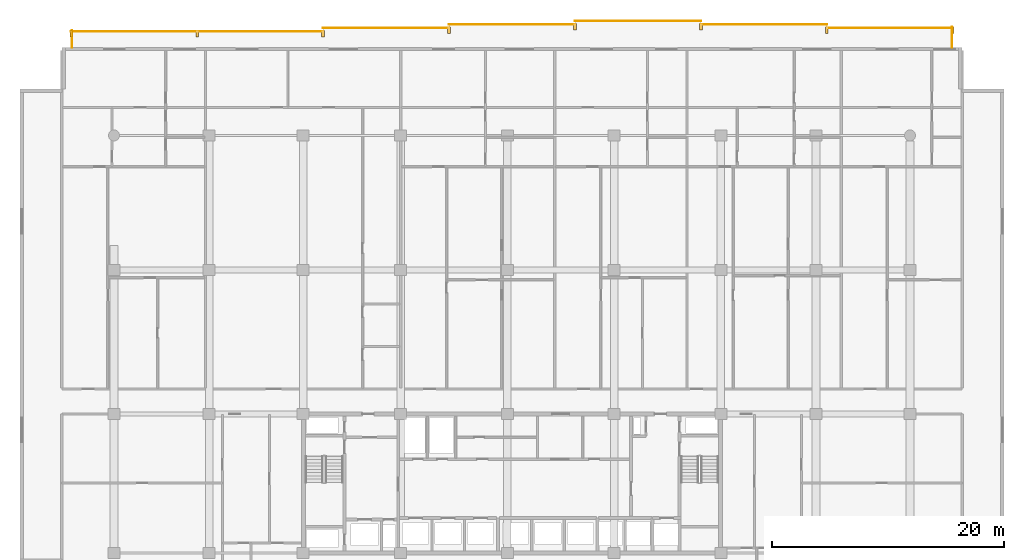
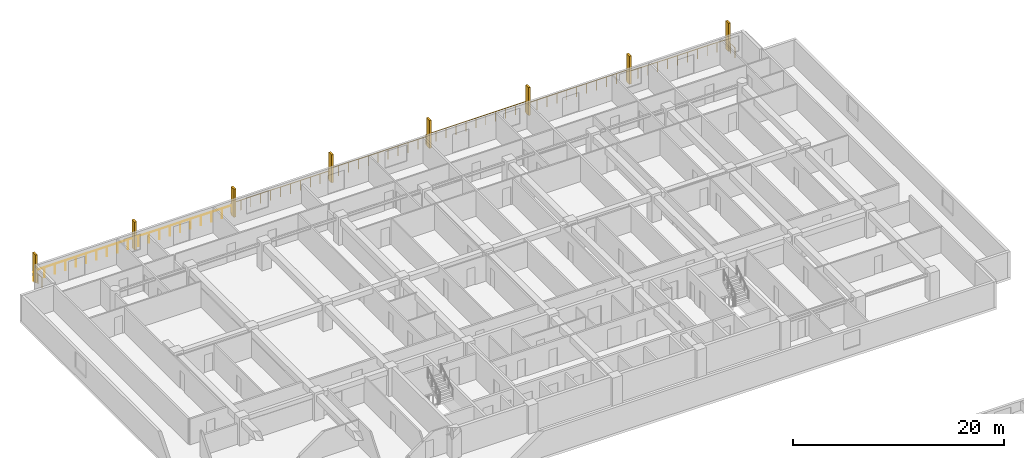
# One storey, part 23 of 23: 8 railings, 8 shading devices.
"""IFC4 building model written with IfcOpenShell, lengths in metres."""

from ifc_helpers import new_model, si_unit, direction, frame, origin, origin_2d, place, context, subcontext, project, spatial, rectangle, circle, extrude, material, type_object, element, save


model = new_model("IFC4")

# Units and contexts
model_context = context("Model", 3, precision=1e-05, world=origin(), true_north=direction((0.0, 1.0)))
body_context = subcontext(model_context, "Body", "Model", "MODEL_VIEW")
ifc_project = project(units=[si_unit("LENGTHUNIT", "METRE"), si_unit("AREAUNIT", "SQUARE_METRE"), si_unit("VOLUMEUNIT", "CUBIC_METRE"), si_unit("PLANEANGLEUNIT", "RADIAN"), si_unit("MASSUNIT", "GRAM", prefix="KILO")], contexts=[model_context])

# Site, building, storey
site_placement = place(None, origin())
site = spatial("IfcSite", under=ifc_project, at=site_placement, CompositionType="ELEMENT")
building_placement = place(site_placement, origin())
building = spatial("IfcBuilding", under=site, at=building_placement, Name="Korimba Cascade Residences", CompositionType="ELEMENT")
storey_placement = place(building_placement, frame((0.0, 0.0, 33.75)))
storey = spatial("IfcBuildingStorey", under=building, at=storey_placement, Name="L08", CompositionType="ELEMENT", Elevation=33.75)

# Railings
ifc_material_1 = material(Name="Laminated Glass and Bronze Balustrade", Category="glass")
railing_type = type_object("IfcRailingType", Name="RLG-LOG-1150", PredefinedType="BALUSTRADE", material=ifc_material_1)
railing_1_placement = place(storey_placement, frame((132.02001953125, 98.800048828125, 0.0)))
element("IfcRailing", 1, at=railing_1_placement, inside=storey, type_object=railing_type, Name="L08 Perimeter Guardrail RLG-L08-T1-LOG-01", PredefinedType="BALUSTRADE", context=body_context, shape_type="SweptSolid", body=[
    extrude(circle(Radius=0.02392578125, at=origin_2d()), frame((0.0, 0.0, 1.1259765625), z_axis=(0.0, 1.0, 0.0), x_axis=(-1.0, 0.0, 0.0)), (0.0, 0.0, 1.0), 1.75),
    extrude(circle(Radius=0.02099609375, at=origin_2d()), origin(), (0.0, 0.0, 1.0), 1.101806640625),
    extrude(circle(Radius=0.02099609375, at=origin_2d()), frame((0.0, 0.875, 0.0)), (0.0, 0.0, 1.0), 1.101806640625),
    extrude(circle(Radius=0.02099609375, at=origin_2d()), frame((0.0, 1.75, 0.0)), (0.0, 0.0, 1.0), 1.101806640625),
])
for number, where, name in (
    (2, (132.10009765625, 100.469970703125, 0.0), "L08 Perimeter Guardrail RLG-L08-T1-LOG-02"),
    (3, (121.242919921875, 100.77001953125, 0.0), "L08 Perimeter Guardrail RLG-L08-T1-LOG-03"),
    (4, (110.3857421875, 101.070068359375, 0.0), "L08 Perimeter Guardrail RLG-L08-T1-LOG-04"),
    (5, (99.528564453125, 100.77001953125, 0.0), "L08 Perimeter Guardrail RLG-L08-T1-LOG-05"),
    (6, (88.67138671875, 100.469970703125, 0.0), "L08 Perimeter Guardrail RLG-L08-T1-LOG-06"),
):
    element("IfcRailing", number, at=place(storey_placement, frame(where)), inside=storey, type_object=railing_type, Name=name, PredefinedType="BALUSTRADE", context=body_context, shape_type="SweptSolid", body=[
        extrude(circle(Radius=0.02392578125, at=origin_2d()), frame((0.0, 0.0, 1.1259765625), z_axis=(-1.0, 0.0, 0.0), x_axis=(0.0, -1.0, 0.0)), (0.0, 0.0, 1.0), 10.857177734375),
        extrude(circle(Radius=0.02099609375, at=origin_2d()), origin(), (0.0, 0.0, 1.0), 1.101806640625),
        extrude(circle(Radius=0.02099609375, at=origin_2d()), frame((-1.085693359375, 0.0, 0.0)), (0.0, 0.0, 1.0), 1.101806640625),
        extrude(circle(Radius=0.02099609375, at=origin_2d()), frame((-2.17138671875, 0.0, 0.0)), (0.0, 0.0, 1.0), 1.101806640625),
        extrude(circle(Radius=0.02099609375, at=origin_2d()), frame((-3.257080078125, 0.0, 0.0)), (0.0, 0.0, 1.0), 1.101806640625),
        extrude(circle(Radius=0.02099609375, at=origin_2d()), frame((-4.3427734375, 0.0, 0.0)), (0.0, 0.0, 1.0), 1.101806640625),
        extrude(circle(Radius=0.02099609375, at=origin_2d()), frame((-5.4287109375, 0.0, 0.0)), (0.0, 0.0, 1.0), 1.101806640625),
        extrude(circle(Radius=0.02099609375, at=origin_2d()), frame((-6.514404296875, 0.0, 0.0)), (0.0, 0.0, 1.0), 1.101806640625),
        extrude(circle(Radius=0.02099609375, at=origin_2d()), frame((-7.60009765625, 0.0, 0.0)), (0.0, 0.0, 1.0), 1.101806640625),
        extrude(circle(Radius=0.02099609375, at=origin_2d()), frame((-8.685791015625, 0.0, 0.0)), (0.0, 0.0, 1.0), 1.101806640625),
        extrude(circle(Radius=0.02099609375, at=origin_2d()), frame((-9.771484375, 0.0, 0.0)), (0.0, 0.0, 1.0), 1.101806640625),
        extrude(circle(Radius=0.02099609375, at=origin_2d()), frame((-10.857177734375, 0.0, 0.0)), (0.0, 0.0, 1.0), 1.101806640625),
    ])
railing_2_placement = place(storey_placement, frame((77.814208984375, 100.169921875, 0.0)))
element("IfcRailing", 7, at=railing_2_placement, inside=storey, type_object=railing_type, Name="L08 Perimeter Guardrail RLG-L08-T1-LOG-07", PredefinedType="BALUSTRADE", context=body_context, shape_type="SweptSolid", body=[
    extrude(circle(Radius=0.02392578125, at=origin_2d()), frame((0.0, 0.0, 1.1259765625), z_axis=(-1.0, 0.0, 0.0), x_axis=(0.0, -1.0, 0.0)), (0.0, 0.0, 1.0), 21.714111328125),
    extrude(circle(Radius=0.02099609375, at=origin_2d()), origin(), (0.0, 0.0, 1.0), 1.101806640625),
    extrude(circle(Radius=0.02099609375, at=origin_2d()), frame((-1.142822265625, 0.0, 0.0)), (0.0, 0.0, 1.0), 1.101806640625),
    extrude(circle(Radius=0.02099609375, at=origin_2d()), frame((-2.28564453125, 0.0, 0.0)), (0.0, 0.0, 1.0), 1.101806640625),
    extrude(circle(Radius=0.02099609375, at=origin_2d()), frame((-3.428466796875, 0.0, 0.0)), (0.0, 0.0, 1.0), 1.101806640625),
    extrude(circle(Radius=0.02099609375, at=origin_2d()), frame((-4.5712890625, 0.0, 0.0)), (0.0, 0.0, 1.0), 1.101806640625),
    extrude(circle(Radius=0.02099609375, at=origin_2d()), frame((-5.71435546875, 0.0, 0.0)), (0.0, 0.0, 1.0), 1.101806640625),
    extrude(circle(Radius=0.02099609375, at=origin_2d()), frame((-6.857177734375, 0.0, 0.0)), (0.0, 0.0, 1.0), 1.101806640625),
    extrude(circle(Radius=0.02099609375, at=origin_2d()), frame((-8.0, 0.0, 0.0)), (0.0, 0.0, 1.0), 1.101806640625),
    extrude(circle(Radius=0.02099609375, at=origin_2d()), frame((-9.142822265625, 0.0, 0.0)), (0.0, 0.0, 1.0), 1.101806640625),
    extrude(circle(Radius=0.02099609375, at=origin_2d()), frame((-10.28564453125, 0.0, 0.0)), (0.0, 0.0, 1.0), 1.101806640625),
    extrude(circle(Radius=0.02099609375, at=origin_2d()), frame((-11.428466796875, 0.0, 0.0)), (0.0, 0.0, 1.0), 1.101806640625),
    extrude(circle(Radius=0.02099609375, at=origin_2d()), frame((-12.5712890625, 0.0, 0.0)), (0.0, 0.0, 1.0), 1.101806640625),
    extrude(circle(Radius=0.02099609375, at=origin_2d()), frame((-13.714111328125, 0.0, 0.0)), (0.0, 0.0, 1.0), 1.101806640625),
    extrude(circle(Radius=0.02099609375, at=origin_2d()), frame((-14.85693359375, 0.0, 0.0)), (0.0, 0.0, 1.0), 1.101806640625),
    extrude(circle(Radius=0.02099609375, at=origin_2d()), frame((-15.999755859375, 0.0, 0.0)), (0.0, 0.0, 1.0), 1.101806640625),
    extrude(circle(Radius=0.02099609375, at=origin_2d()), frame((-17.142822265625, 0.0, 0.0)), (0.0, 0.0, 1.0), 1.101806640625),
    extrude(circle(Radius=0.02099609375, at=origin_2d()), frame((-18.28564453125, 0.0, 0.0)), (0.0, 0.0, 1.0), 1.101806640625),
    extrude(circle(Radius=0.02099609375, at=origin_2d()), frame((-19.428466796875, 0.0, 0.0)), (0.0, 0.0, 1.0), 1.101806640625),
    extrude(circle(Radius=0.02099609375, at=origin_2d()), frame((-20.5712890625, 0.0, 0.0)), (0.0, 0.0, 1.0), 1.101806640625),
    extrude(circle(Radius=0.02099609375, at=origin_2d()), frame((-21.714111328125, 0.0, 0.0)), (0.0, 0.0, 1.0), 1.101806640625),
])
railing_3_placement = place(storey_placement, frame((56.179931640625, 100.25, 0.0)))
element("IfcRailing", 8, at=railing_3_placement, inside=storey, type_object=railing_type, Name="L08 Perimeter Guardrail RLG-L08-T1-LOG-08", PredefinedType="BALUSTRADE", context=body_context, shape_type="SweptSolid", body=[
    extrude(circle(Radius=0.02392578125, at=origin_2d()), frame((0.0, 0.0, 1.1259765625), z_axis=(0.0, -1.0, 0.0), x_axis=(1.0, 0.0, 0.0)), (0.0, 0.0, 1.0), 1.449951171875),
    extrude(circle(Radius=0.02099609375, at=origin_2d()), origin(), (0.0, 0.0, 1.0), 1.101806640625),
    extrude(circle(Radius=0.02099609375, at=origin_2d()), frame((0.0, -0.72509765625, 0.0)), (0.0, 0.0, 1.0), 1.101806640625),
    extrude(circle(Radius=0.02099609375, at=origin_2d()), frame((0.0, -1.449951171875, 0.0)), (0.0, 0.0, 1.0), 1.101806640625),
])

# Shading devices
ifc_material_2 = material(Name="Honed Sandstone Precast Fin", Category="masonry")
shading_device_type = type_object("IfcShadingDeviceType", Name="SHD-FIN-550", PredefinedType="USERDEFINED", material=ifc_material_2)
for number, where, z_axis, x_axis, name in (
    (9, (56.10009765625, 99.97509765625, 0.0), (0.0, 0.0, 1.0), (1.0, 0.0, 0.0), "L08 T1 Warm-Stone Loggia Fin 1"),
    (10, (66.95703125, 99.97509765625, 0.0), (0.0, 0.0, 1.0), (1.0, 0.0, 0.0), "L08 T1 Warm-Stone Loggia Fin 2"),
    (11, (77.814208984375, 99.97509765625, 0.0), (0.0, 0.0, 1.0), (1.0, 0.0, 0.0), "L08 T1 Warm-Stone Loggia Fin 3"),
    (12, (88.67138671875, 100.27490234375, 0.0), (0.0, 0.0, 1.0), (1.0, 0.0, 0.0), "L08 T1 Warm-Stone Loggia Fin 4"),
    (13, (99.528564453125, 100.574951171875, 0.0), (0.0, 0.0, 1.0), (1.0, 0.0, 0.0), "L08 T1 Warm-Stone Loggia Fin 5"),
    (14, (110.3857421875, 100.574951171875, 0.0), (0.0, 0.0, 1.0), (1.0, 0.0, 0.0), "L08 T1 Warm-Stone Loggia Fin 6"),
    (15, (121.242919921875, 100.27490234375, 0.0), (0.0, 0.0, 1.0), (1.0, 0.0, 0.0), "L08 T1 Warm-Stone Loggia Fin 7"),
    (16, (132.10009765625, 100.27490234375, 0.0), (0.0, 0.0, 1.0), (1.0, 0.0, 0.0), "L08 T1 Warm-Stone Loggia Fin 8"),
):
    element("IfcShadingDevice", number, at=place(storey_placement, frame(where, z_axis=z_axis, x_axis=x_axis)), inside=storey, type_object=shading_device_type, Name=name, ObjectType="FIN", PredefinedType="USERDEFINED", context=body_context, shape_type="SweptSolid", body=[
        extrude(rectangle(XDim=0.219970703125, YDim=0.550048828125, at=origin_2d()), origin(), (0.0, 0.0, 1.0), 3.25),
    ])

save(model, "model.ifc")
